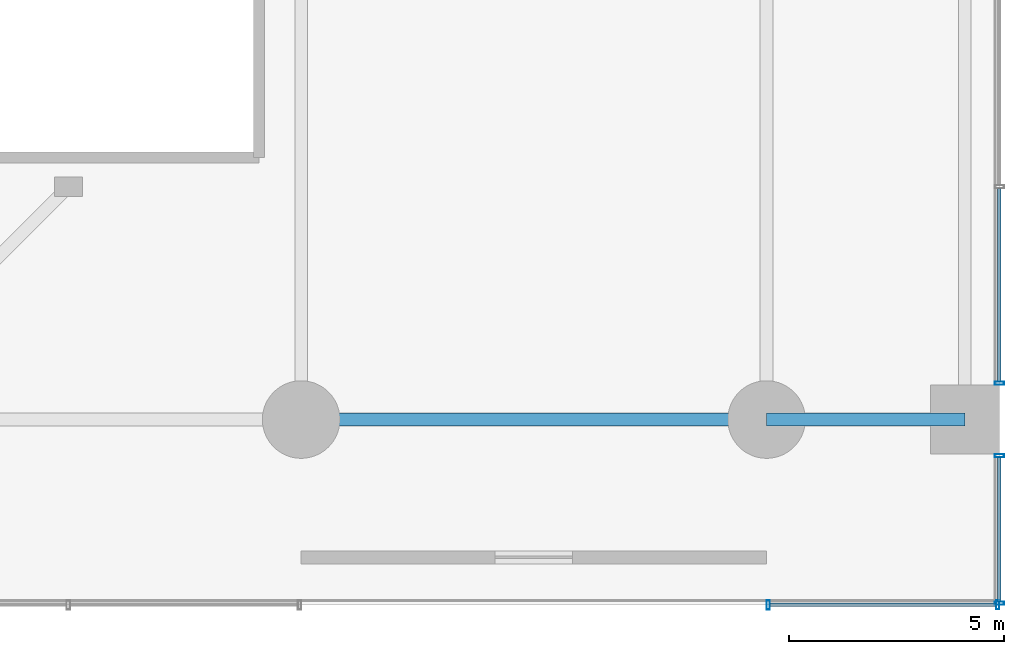
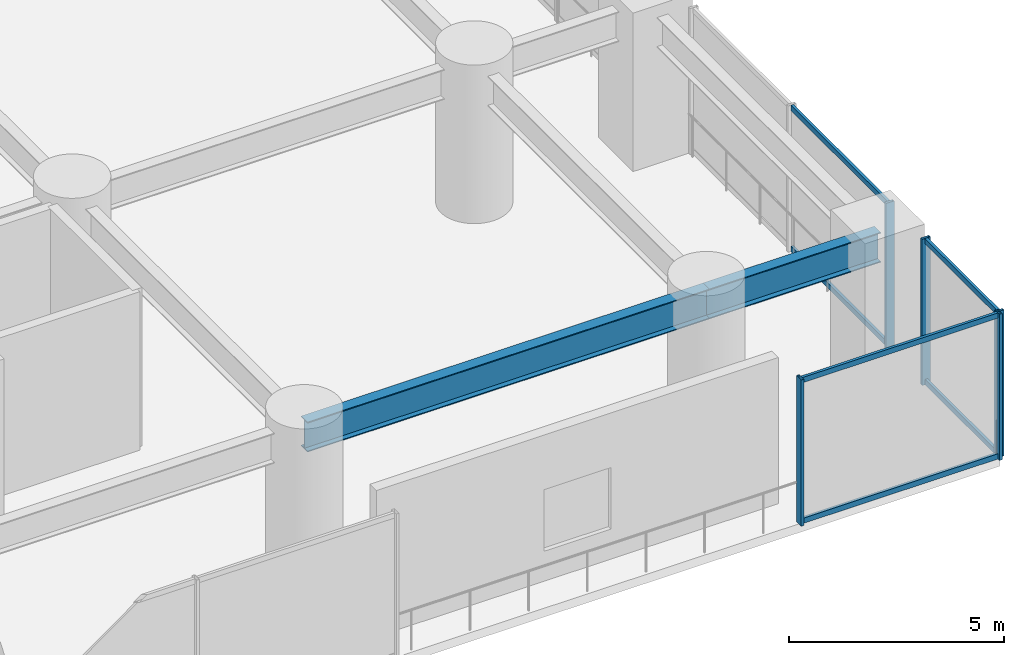
# One storey, part 18 of 35: 11 members, 2 beams, 3 elements without a shape of their own.
"""IFC4 building model written with IfcOpenShell, lengths in metres."""

from ifc_helpers import new_model, si_unit, direction, frame, origin, origin_2d, place, context, subcontext, project, spatial, hollow_rectangle, i_section, extrude, material, layer, layer_set, material_profile, profile_set, type_object, element, aggregate, save


model = new_model("IFC4")

# Units and contexts
model_context = context("Model", 3, precision=1e-05, world=origin(), true_north=direction((0.0, 1.0)))
body_context = subcontext(model_context, "Body", "Model", "MODEL_VIEW")
ifc_project = project(units=[si_unit("LENGTHUNIT", "METRE"), si_unit("AREAUNIT", "SQUARE_METRE"), si_unit("VOLUMEUNIT", "CUBIC_METRE"), si_unit("PLANEANGLEUNIT", "RADIAN"), si_unit("MASSUNIT", "GRAM", prefix="KILO")], contexts=[model_context])

# Site, building, storey
site_placement = place(None, origin())
site = spatial("IfcSite", under=ifc_project, at=site_placement, CompositionType="ELEMENT")
building_placement = place(site_placement, origin())
building = spatial("IfcBuilding", under=site, at=building_placement, Name="Surkhivell Harbour Commons", CompositionType="ELEMENT")
storey_placement = place(building_placement, frame((0.0, 0.0, 13.5)))
storey = spatial("IfcBuildingStorey", under=building, at=storey_placement, Name="L03", CompositionType="ELEMENT", Elevation=13.5)

# Beams
ifc_material_1 = material(Name="Steel S460", Category="steel")
ifc_material_profile_1 = material_profile(ifc_material_1, i_section(OverallWidth=0.2939453125, OverallDepth=0.85107421875, WebThickness=0.01611328125, FlangeThickness=0.02685546875, at=origin_2d()), Name="UB838x292x226")
ifc_profile_set_1 = profile_set([ifc_material_profile_1], Name="Steel S460")
beam_type = type_object("IfcBeamType", Name="BM-SPN-838", PredefinedType="SPANDREL", material=ifc_profile_set_1)
beam_1_placement = place(storey_placement, frame((21.60009765625, -21.60009765625, 3.724609375), z_axis=(1.0, 0.0, 0.0), x_axis=(0.0, 1.0, 0.0)))
element("IfcBeam", 1, at=beam_1_placement, inside=storey, type_object=beam_type, Name="L03 Framing Beam (21.6,-21.6)", PredefinedType="SPANDREL", context=body_context, shape_type="SweptSolid", body=[
    extrude(i_section(OverallWidth=0.2939453125, OverallDepth=0.85107421875, WebThickness=0.01611328125, FlangeThickness=0.02685546875, at=origin_2d()), origin(), (0.0, 0.0, 1.0), 10.7998046875),
])
beam_2_placement = place(storey_placement, frame((32.39990234375, -21.60009765625, 3.724609375), z_axis=(1.0, 0.0, 0.0), x_axis=(0.0, 1.0, 0.0)))
element("IfcBeam", 2, at=beam_2_placement, inside=storey, type_object=beam_type, Name="L03 Framing Beam (32.4,-21.6)", PredefinedType="SPANDREL", context=body_context, shape_type="SweptSolid", body=[
    extrude(i_section(OverallWidth=0.2939453125, OverallDepth=0.85107421875, WebThickness=0.01611328125, FlangeThickness=0.02685546875, at=origin_2d()), origin(), (0.0, 0.0, 1.0), 4.60009765625),
])

# Curtain wall, members
ifc_material_2 = material(Name="Anodised pale-metal aluminium and insulated glazing", Category="aluminium")
ifc_layer = layer(ifc_material_2, 0.239990234375)
ifc_layer_set = layer_set([ifc_layer], Name="Anodised pale-metal aluminium and insulated glazing")
curtain_wall_type = type_object("IfcCurtainWallType", Name="CW-SYS-POD", PredefinedType="NOTDEFINED", material=ifc_layer_set)
curtain_wall_1_placement = place(storey_placement, origin())
curtain_wall_1 = element("IfcCurtainWall", 3, at=curtain_wall_1_placement, inside=storey, type_object=curtain_wall_type, Name="L03 Curtain Wall CW-L03-S8", PredefinedType="NOTDEFINED")
ifc_material_3 = material(Name="Anodised pale-metal aluminium alloy 6063-T6", Category="aluminium")
ifc_material_profile_2 = material_profile(ifc_material_3, hollow_rectangle(XDim=0.074951171875, YDim=0.219970703125, WallThickness=0.00390625, at=origin_2d()), Name="ALU-MULL-75x220")
ifc_profile_set_2 = profile_set([ifc_material_profile_2], Name="Anodised pale-metal aluminium alloy 6063-T6")
member_type_1 = type_object("IfcMemberType", Name="CWM-220", PredefinedType="MULLION", material=ifc_profile_set_2)
member_1_placement = place(storey_placement, frame((37.762451171875, -25.89990234375, 0.0), z_axis=(0.0, 0.0, 1.0), x_axis=(-1.0, 0.0, 0.0)))
member_1 = element("IfcMember", 4, at=member_1_placement, type_object=member_type_1, Name="CW-POD mullion 1", PredefinedType="MULLION", context=body_context, shape_type="SweptSolid", body=[
    extrude(hollow_rectangle(XDim=0.074951171875, YDim=0.219970703125, WallThickness=0.00390625, at=origin_2d()), origin(), (0.0, 0.0, 1.0), 4.14990234375),
])
member_2_placement = place(storey_placement, frame((32.4375, -25.89990234375, 0.0), z_axis=(0.0, 0.0, 1.0), x_axis=(-1.0, 0.0, 0.0)))
member_2 = element("IfcMember", 5, at=member_2_placement, type_object=member_type_1, Name="CW-POD mullion 2", PredefinedType="MULLION", context=body_context, shape_type="SweptSolid", body=[
    extrude(hollow_rectangle(XDim=0.074951171875, YDim=0.219970703125, WallThickness=0.00390625, at=origin_2d()), origin(), (0.0, 0.0, 1.0), 4.14990234375),
])

curtain_wall_2_placement = place(storey_placement, origin())
curtain_wall_2 = element("IfcCurtainWall", 6, at=curtain_wall_2_placement, inside=storey, type_object=curtain_wall_type, Name="L03 Curtain Wall CW-L03-E1", PredefinedType="NOTDEFINED")
member_3_placement = place(storey_placement, frame((37.800048828125, -22.439453125, 0.0), z_axis=(0.0, 0.0, 1.0), x_axis=(0.0, -1.0, 0.0)))
member_3 = element("IfcMember", 7, at=member_3_placement, type_object=member_type_1, Name="CW-POD mullion 1", PredefinedType="MULLION", context=body_context, shape_type="SweptSolid", body=[
    extrude(hollow_rectangle(XDim=0.074951171875, YDim=0.219970703125, WallThickness=0.00390625, at=origin_2d()), origin(), (0.0, 0.0, 1.0), 4.14990234375),
])
member_4_placement = place(storey_placement, frame((37.800048828125, -25.862548828125, 0.0), z_axis=(0.0, 0.0, 1.0), x_axis=(0.0, -1.0, 0.0)))
member_4 = element("IfcMember", 8, at=member_4_placement, type_object=member_type_1, Name="CW-POD mullion 2", PredefinedType="MULLION", context=body_context, shape_type="SweptSolid", body=[
    extrude(hollow_rectangle(XDim=0.074951171875, YDim=0.219970703125, WallThickness=0.00390625, at=origin_2d()), origin(), (0.0, 0.0, 1.0), 4.14990234375),
])

# Curtain wall, member
curtain_wall_3_placement = place(storey_placement, origin())
curtain_wall_3 = element("IfcCurtainWall", 9, at=curtain_wall_3_placement, inside=storey, type_object=curtain_wall_type, Name="L03 Curtain Wall CW-L03-E2", PredefinedType="NOTDEFINED")
member_5_placement = place(storey_placement, frame((37.800048828125, -20.760498046875, 0.0), z_axis=(0.0, 0.0, 1.0), x_axis=(0.0, -1.0, 0.0)))
member_5 = element("IfcMember", 10, at=member_5_placement, type_object=member_type_1, Name="CW-POD mullion 3", PredefinedType="MULLION", context=body_context, shape_type="SweptSolid", body=[
    extrude(hollow_rectangle(XDim=0.074951171875, YDim=0.219970703125, WallThickness=0.00390625, at=origin_2d()), origin(), (0.0, 0.0, 1.0), 4.14990234375),
])

# Member
ifc_material_profile_3 = material_profile(ifc_material_3, hollow_rectangle(XDim=0.074951171875, YDim=0.14990234375, WallThickness=0.00341796875, at=origin_2d()), Name="ALU-TRAN-75x150")
ifc_profile_set_3 = profile_set([ifc_material_profile_3], Name="Anodised pale-metal aluminium alloy 6063-T6")
member_type_2 = type_object("IfcMemberType", Name="CWT-150", PredefinedType="USERDEFINED", material=ifc_profile_set_3)
member_6_placement = place(storey_placement, frame((37.72509765625, -25.89990234375, 0.074951171875), z_axis=(-1.0, 0.0, 0.0), x_axis=(0.0, -1.0, 0.0)))
member_6 = element("IfcMember", 11, at=member_6_placement, type_object=member_type_2, Name="CW-POD transom 1.1", ObjectType="TRANSOM", PredefinedType="USERDEFINED", context=body_context, shape_type="SweptSolid", body=[
    extrude(hollow_rectangle(XDim=0.074951171875, YDim=0.14990234375, WallThickness=0.00341796875, at=origin_2d()), origin(), (0.0, 0.0, 1.0), 5.25),
])

member_7_placement = place(storey_placement, frame((37.72509765625, -25.89990234375, 4.074951171875), z_axis=(-1.0, 0.0, 0.0), x_axis=(0.0, -1.0, 0.0)))
member_7 = element("IfcMember", 12, at=member_7_placement, type_object=member_type_2, Name="CW-POD transom 1.2", ObjectType="TRANSOM", PredefinedType="USERDEFINED", context=body_context, shape_type="SweptSolid", body=[
    extrude(hollow_rectangle(XDim=0.074951171875, YDim=0.14990234375, WallThickness=0.00341796875, at=origin_2d()), origin(), (0.0, 0.0, 1.0), 5.25),
])

aggregate(curtain_wall_1, [member_1, member_2, member_6, member_7])

member_8_placement = place(storey_placement, frame((37.800048828125, -22.47705078125, 0.074951171875), z_axis=(0.0, -1.0, 0.0), x_axis=(1.0, 0.0, 0.0)))
member_8 = element("IfcMember", 13, at=member_8_placement, type_object=member_type_2, Name="CW-POD transom 1.1", ObjectType="TRANSOM", PredefinedType="USERDEFINED", context=body_context, shape_type="SweptSolid", body=[
    extrude(hollow_rectangle(XDim=0.074951171875, YDim=0.14990234375, WallThickness=0.00341796875, at=origin_2d()), origin(), (0.0, 0.0, 1.0), 3.347900390625),
])

member_9_placement = place(storey_placement, frame((37.800048828125, -22.47705078125, 4.074951171875), z_axis=(0.0, -1.0, 0.0), x_axis=(1.0, 0.0, 0.0)))
member_9 = element("IfcMember", 14, at=member_9_placement, type_object=member_type_2, Name="CW-POD transom 1.2", ObjectType="TRANSOM", PredefinedType="USERDEFINED", context=body_context, shape_type="SweptSolid", body=[
    extrude(hollow_rectangle(XDim=0.074951171875, YDim=0.14990234375, WallThickness=0.00341796875, at=origin_2d()), origin(), (0.0, 0.0, 1.0), 3.347900390625),
])

aggregate(curtain_wall_2, [member_3, member_4, member_8, member_9])

member_10_placement = place(storey_placement, frame((37.800048828125, -16.237548828125, 0.074951171875), z_axis=(0.0, -1.0, 0.0), x_axis=(1.0, 0.0, 0.0)))
member_10 = element("IfcMember", 15, at=member_10_placement, type_object=member_type_2, Name="CW-POD transom 2.1", ObjectType="TRANSOM", PredefinedType="USERDEFINED", context=body_context, shape_type="SweptSolid", body=[
    extrude(hollow_rectangle(XDim=0.074951171875, YDim=0.14990234375, WallThickness=0.00341796875, at=origin_2d()), origin(), (0.0, 0.0, 1.0), 4.4853515625),
])

member_11_placement = place(storey_placement, frame((37.800048828125, -16.237548828125, 4.074951171875), z_axis=(0.0, -1.0, 0.0), x_axis=(1.0, 0.0, 0.0)))
member_11 = element("IfcMember", 16, at=member_11_placement, type_object=member_type_2, Name="CW-POD transom 2.2", ObjectType="TRANSOM", PredefinedType="USERDEFINED", context=body_context, shape_type="SweptSolid", body=[
    extrude(hollow_rectangle(XDim=0.074951171875, YDim=0.14990234375, WallThickness=0.00341796875, at=origin_2d()), origin(), (0.0, 0.0, 1.0), 4.4853515625),
])

aggregate(curtain_wall_3, [member_5, member_10, member_11])

save(model, "model.ifc")
